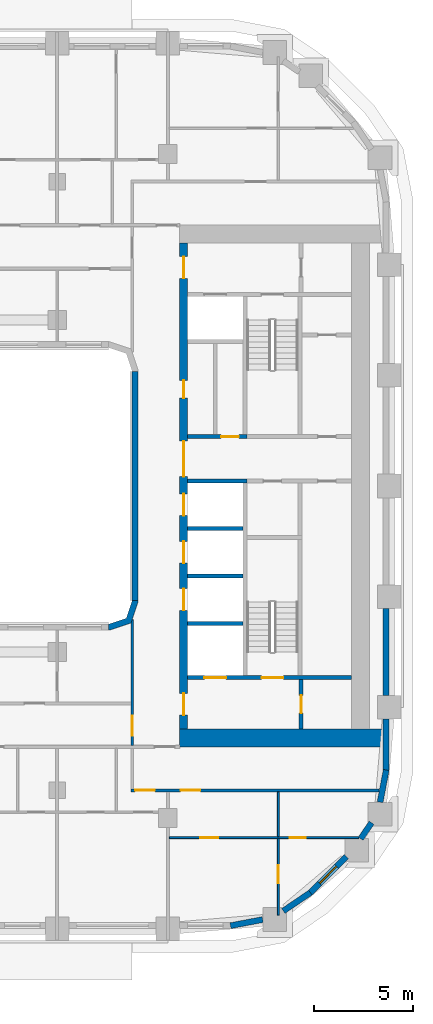
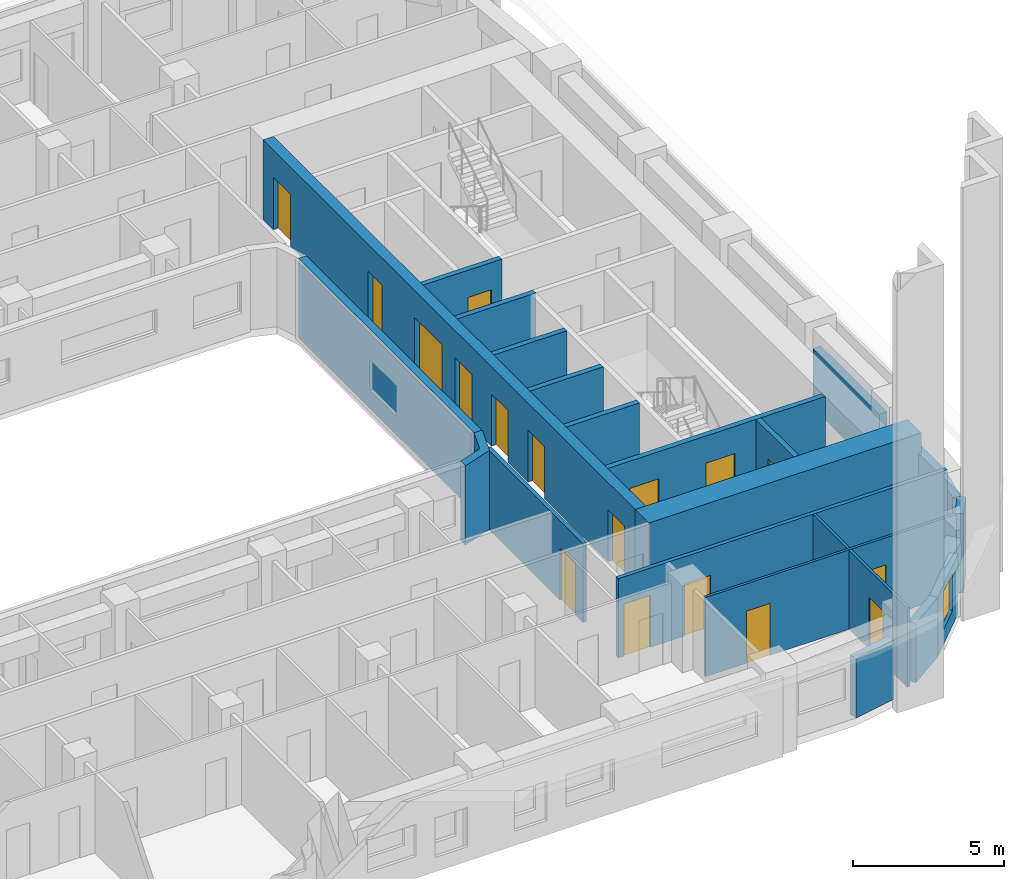
# One storey, part 7 of 23: 23 walls, 17 doors, 1 window, 18 openings.
"""IFC4 building model written with IfcOpenShell, lengths in metres."""

from ifc_helpers import new_model, si_unit, direction, frame, frame_2d, origin, place, context, subcontext, project, spatial, polyline, rectangle, outline, extrude, material, layer, layer_set, type_object, element, fill, save


model = new_model("IFC4")

# Units and contexts
model_context = context("Model", 3, precision=1e-05, world=origin(), true_north=direction((0.0, 1.0)))
body_context = subcontext(model_context, "Body", "Model", "MODEL_VIEW")
ifc_project = project(units=[si_unit("LENGTHUNIT", "METRE"), si_unit("AREAUNIT", "SQUARE_METRE"), si_unit("VOLUMEUNIT", "CUBIC_METRE"), si_unit("PLANEANGLEUNIT", "RADIAN"), si_unit("MASSUNIT", "GRAM", prefix="KILO")], contexts=[model_context])

# Site, building, storey
site_placement = place(None, origin())
site = spatial("IfcSite", under=ifc_project, at=site_placement, CompositionType="ELEMENT")
building_placement = place(site_placement, origin())
building = spatial("IfcBuilding", under=site, at=building_placement, Name="Kiln Ring Residences", CompositionType="ELEMENT")
storey_placement = place(building_placement, frame((0.0, 0.0, 107.800048828125)))
storey = spatial("IfcBuildingStorey", under=building, at=storey_placement, Name="L27", CompositionType="ELEMENT", Elevation=107.800048828125)

# Wall, opening, door
ifc_material_1 = material(Name="Gypsum board on steel studs", Category="steel")
ifc_layer_1 = layer(ifc_material_1, 0.199951171875)
ifc_layer_set_1 = layer_set([ifc_layer_1], Name="CORE-PARTITION-200")
wall_type_1 = type_object("IfcWallType", Name="CORE-PARTITION-200", PredefinedType="PARTITIONING", material=ifc_layer_set_1)
wall_1_placement = place(storey_placement, frame((23.550048828125, -12.300048828125, 0.0), z_axis=(0.0, 0.0, 1.0), x_axis=(0.0, 1.0, 0.0)))
wall_1 = element("IfcWall", 1, at=wall_1_placement, inside=storey, type_object=wall_type_1, Name="Core partition east L27 5", PredefinedType="PARTITIONING", context=body_context, shape_type="SweptSolid", body=[
    extrude(rectangle(XDim=2.5, YDim=0.199951171875, at=frame_2d((1.25, 0.0))), origin(), (0.0, 0.0, 1.0), 3.199951171875),
])
opening_1_placement = place(wall_1_placement, frame((0.800048828125, 0.0, 0.0)))
opening_1 = element("IfcOpeningElement", 2, at=opening_1_placement, cuts=wall_1, Name="Opening L27-CE11", PredefinedType="OPENING", context=body_context, shape_type="SweptSolid", body=[
    extrude(rectangle(XDim=0.89990234375, YDim=2.10009765625, at=frame_2d((0.449951171875, 1.050048828125))), frame((0.0, 0.10986328125, 0.0), z_axis=(0.0, -1.0, 0.0), x_axis=(1.0, 0.0, 0.0)), (0.0, 0.0, 1.0), 0.219970703125),
])
ifc_material_2 = material(Name="Steel door leaf", Category="steel")
door_type_1 = type_object("IfcDoorType", Name="CORE-DOOR-ROOM", OperationType="SINGLE_SWING_LEFT", PredefinedType="DOOR", material=ifc_material_2)
door_1_placement = place(opening_1_placement, origin())
door_1 = element("IfcDoor", 3, at=door_1_placement, inside=storey, type_object=door_type_1, Name="Store L27-CE11", OperationType="SINGLE_SWING_RIGHT", OverallHeight=2.10009765625, OverallWidth=0.89990234375, PredefinedType="DOOR", context=body_context, shape_type="SweptSolid", body=[
    extrude(rectangle(XDim=0.89990234375, YDim=2.10009765625, at=frame_2d((0.449951171875, 1.050048828125))), frame((0.0, 0.02490234375, 0.0), z_axis=(0.0, -1.0, 0.0), x_axis=(1.0, 0.0, 0.0)), (0.0, 0.0, 1.0), 0.050048828125),
])
fill(opening_1, door_1)

# Walls
ifc_material_3 = material(Name="Gypsum shaft wall system")
ifc_layer_2 = layer(ifc_material_3, 0.199951171875)
ifc_layer_set_2 = layer_set([ifc_layer_2], Name="CORE-SHAFT-WALL-200")
wall_type_2 = type_object("IfcWallType", Name="CORE-SHAFT-WALL-200", PredefinedType="PARTITIONING", material=ifc_layer_set_2)
for number, where, z_axis, x_axis, name in (
    (4, (17.800048828125, -6.949951171875, 0.0), (0.0, 0.0, 1.0), (1.0, 0.0, 0.0), "Core partition east L27 7"),
    (5, (17.800048828125, -4.550048828125, 0.0), (0.0, 0.0, 1.0), (1.0, 0.0, 0.0), "Core partition east L27 8"),
    (6, (17.800048828125, -2.14990234375, 0.0), (0.0, 0.0, 1.0), (1.0, 0.0, 0.0), "Core partition east L27 9"),
):
    element("IfcWall", number, at=place(storey_placement, frame(where, z_axis=z_axis, x_axis=x_axis)), inside=storey, type_object=wall_type_2, Name=name, PredefinedType="PARTITIONING", context=body_context, shape_type="SweptSolid", body=[
        extrude(rectangle(XDim=2.800048828125, YDim=0.199951171875, at=frame_2d((1.39990234375, 0.0))), origin(), (0.0, 0.0, 1.0), 3.199951171875),
    ])
wall_2_placement = place(storey_placement, frame((17.800048828125, 0.25, 0.0), z_axis=(0.0, 0.0, 1.0), x_axis=(1.0, 0.0, 0.0)))
element("IfcWall", 7, at=wall_2_placement, inside=storey, type_object=wall_type_2, Name="Core partition east L27 10", PredefinedType="PARTITIONING", context=body_context, shape_type="SweptSolid", body=[
    extrude(rectangle(XDim=3.0, YDim=0.199951171875, at=frame_2d((1.5, 0.0))), origin(), (0.0, 0.0, 1.0), 3.199951171875),
])

# Wall, opening, door
wall_3_placement = place(storey_placement, frame((17.800048828125, 2.5, 0.0), z_axis=(0.0, 0.0, 1.0), x_axis=(1.0, 0.0, 0.0)))
wall_3 = element("IfcWall", 8, at=wall_3_placement, inside=storey, type_object=wall_type_2, Name="Core partition east L27 11", PredefinedType="PARTITIONING", context=body_context, shape_type="SweptSolid", body=[
    extrude(rectangle(XDim=3.0, YDim=0.199951171875, at=frame_2d((1.5, 0.0))), origin(), (0.0, 0.0, 1.0), 3.199951171875),
])
opening_2_placement = place(wall_3_placement, frame((1.699951171875, 0.0, 0.0)))
opening_2 = element("IfcOpeningElement", 9, at=opening_2_placement, cuts=wall_3, Name="Opening L27-CE06", PredefinedType="OPENING", context=body_context, shape_type="SweptSolid", body=[
    extrude(rectangle(XDim=0.89990234375, YDim=2.10009765625, at=frame_2d((0.449951171875, 1.050048828125))), frame((0.0, 0.10986328125, 0.0), z_axis=(0.0, -1.0, 0.0), x_axis=(1.0, 0.0, 0.0)), (0.0, 0.0, 1.0), 0.219970703125),
])
door_2_placement = place(opening_2_placement, origin())
door_2 = element("IfcDoor", 10, at=door_2_placement, inside=storey, type_object=door_type_1, Name="Service store L27-CE06", OperationType="SINGLE_SWING_RIGHT", OverallHeight=2.10009765625, OverallWidth=0.89990234375, PredefinedType="DOOR", context=body_context, shape_type="SweptSolid", body=[
    extrude(rectangle(XDim=0.89990234375, YDim=2.10009765625, at=frame_2d((0.449951171875, 1.050048828125))), frame((0.0, 0.02490234375, 0.0), z_axis=(0.0, -1.0, 0.0), x_axis=(1.0, 0.0, 0.0)), (0.0, 0.0, 1.0), 0.050048828125),
])
fill(opening_2, door_2)

# Wall, openings, doors
ifc_material_4 = material(Name="Concrete C40/50", Category="concrete")
ifc_layer_3 = layer(ifc_material_4, 0.199951171875)
ifc_layer_set_3 = layer_set([ifc_layer_3], Name="CORE-WALL-RC200")
wall_type_3 = type_object("IfcWallType", Name="CORE-WALL-RC200", PredefinedType="SHEAR", material=ifc_layer_set_3)
wall_4_placement = place(storey_placement, frame((17.800048828125, -9.699951171875, 0.0), z_axis=(0.0, 0.0, 1.0), x_axis=(1.0, 0.0, 0.0)))
wall_4 = element("IfcWall", 11, at=wall_4_placement, inside=storey, type_object=wall_type_3, Name="Core wall east L27 8", PredefinedType="SHEAR", context=body_context, shape_type="SweptSolid", body=[
    extrude(rectangle(XDim=8.300048828125, YDim=0.199951171875, at=frame_2d((4.14990234375, 0.0))), origin(), (0.0, 0.0, 1.0), 3.199951171875),
])
opening_3_placement = place(wall_4_placement, frame((0.85009765625, 0.0, 0.0)))
opening_3 = element("IfcOpeningElement", 12, at=opening_3_placement, cuts=wall_4, Name="Opening L27-CE01", PredefinedType="OPENING", context=body_context, shape_type="SweptSolid", body=[
    extrude(rectangle(XDim=1.10009765625, YDim=2.10009765625, at=frame_2d((0.550048828125, 1.050048828125))), frame((0.0, 0.10986328125, 0.0), z_axis=(0.0, -1.0, 0.0), x_axis=(1.0, 0.0, 0.0)), (0.0, 0.0, 1.0), 0.219970703125),
])
opening_4_placement = place(wall_4_placement, frame((3.75, 0.0, 0.0)))
opening_4 = element("IfcOpeningElement", 13, at=opening_4_placement, cuts=wall_4, Name="Opening L27-CE13", PredefinedType="OPENING", context=body_context, shape_type="SweptSolid", body=[
    extrude(rectangle(XDim=1.10009765625, YDim=2.10009765625, at=frame_2d((0.550048828125, 1.050048828125))), frame((0.0, 0.10986328125, 0.0), z_axis=(0.0, -1.0, 0.0), x_axis=(1.0, 0.0, 0.0)), (0.0, 0.0, 1.0), 0.219970703125),
])
ifc_material_5 = material(Name="Steel door leaf", Category="steel")
door_type_2 = type_object("IfcDoorType", Name="CORE-DOOR-LD", OperationType="DOUBLE_DOOR_SLIDING", PredefinedType="DOOR", material=ifc_material_5)
door_3_placement = place(opening_3_placement, origin())
door_3 = element("IfcDoor", 14, at=door_3_placement, inside=storey, type_object=door_type_2, Name="LD E-SV L27-CE01", OperationType="DOUBLE_DOOR_SLIDING", OverallHeight=2.10009765625, OverallWidth=1.10009765625, PredefinedType="DOOR", context=body_context, shape_type="SweptSolid", body=[
    extrude(rectangle(XDim=1.10009765625, YDim=2.10009765625, at=frame_2d((0.550048828125, 1.050048828125))), frame((0.0, 0.02490234375, 0.0), z_axis=(0.0, -1.0, 0.0), x_axis=(1.0, 0.0, 0.0)), (0.0, 0.0, 1.0), 0.050048828125),
])
fill(opening_3, door_3)
ifc_material_6 = material(Name="Steel door leaf", Category="steel")
door_type_3 = type_object("IfcDoorType", Name="CORE-DOOR-STAIR", OperationType="SINGLE_SWING_LEFT", PredefinedType="DOOR", material=ifc_material_6)
door_4_placement = place(opening_4_placement, origin())
door_4 = element("IfcDoor", 15, at=door_4_placement, inside=storey, type_object=door_type_3, Name="Stair E-STS L27-CE13", OperationType="SINGLE_SWING_LEFT", OverallHeight=2.10009765625, OverallWidth=1.10009765625, PredefinedType="DOOR", context=body_context, shape_type="SweptSolid", body=[
    extrude(rectangle(XDim=1.10009765625, YDim=2.10009765625, at=frame_2d((0.550048828125, 1.050048828125))), frame((0.0, 0.02490234375, 0.0), z_axis=(0.0, -1.0, 0.0), x_axis=(1.0, 0.0, 0.0)), (0.0, 0.0, 1.0), 0.050048828125),
])
fill(opening_4, door_4)

ifc_material_7 = material(Name="Concrete C60/75", Category="concrete")
ifc_layer_4 = layer(ifc_material_7, 0.39990234375)
ifc_layer_set_4 = layer_set([ifc_layer_4], Name="CORE-WALL-RC400")
wall_type_4 = type_object("IfcWallType", Name="CORE-WALL-RC400", PredefinedType="SHEAR", material=ifc_layer_set_4)
wall_5_placement = place(storey_placement, frame((17.60009765625, -12.300048828125, 0.0), z_axis=(0.0, 0.0, 1.0), x_axis=(0.0, 1.0, 0.0)))
wall_5 = element("IfcWall", 16, at=wall_5_placement, inside=storey, type_object=wall_type_4, Name="Core wall east L27 6", PredefinedType="SHEAR", context=body_context, shape_type="SweptSolid", body=[
    extrude(rectangle(XDim=24.60009765625, YDim=0.39990234375, at=frame_2d((12.300048828125, 0.0))), origin(), (0.0, 0.0, 1.0), 3.199951171875),
])
opening_5_placement = place(wall_5_placement, frame((6.0, 0.0, 0.0)))
opening_5 = element("IfcOpeningElement", 17, at=opening_5_placement, cuts=wall_5, Name="Opening L27-CE02", PredefinedType="OPENING", context=body_context, shape_type="SweptSolid", body=[
    extrude(rectangle(XDim=1.10009765625, YDim=2.10009765625, at=frame_2d((0.550048828125, 1.050048828125))), frame((0.0, 0.2099609375, 0.0), z_axis=(0.0, -1.0, 0.0), x_axis=(1.0, 0.0, 0.0)), (0.0, 0.0, 1.0), 0.419921875),
])
opening_6_placement = place(wall_5_placement, frame((8.39990234375, 0.0, 0.0)))
opening_6 = element("IfcOpeningElement", 18, at=opening_6_placement, cuts=wall_5, Name="Opening L27-CE03", PredefinedType="OPENING", context=body_context, shape_type="SweptSolid", body=[
    extrude(rectangle(XDim=1.10009765625, YDim=2.10009765625, at=frame_2d((0.550048828125, 1.050048828125))), frame((0.0, 0.2099609375, 0.0), z_axis=(0.0, -1.0, 0.0), x_axis=(1.0, 0.0, 0.0)), (0.0, 0.0, 1.0), 0.419921875),
])
opening_7_placement = place(wall_5_placement, frame((10.800048828125, 0.0, 0.0)))
opening_7 = element("IfcOpeningElement", 19, at=opening_7_placement, cuts=wall_5, Name="Opening L27-CE04", PredefinedType="OPENING", context=body_context, shape_type="SweptSolid", body=[
    extrude(rectangle(XDim=1.10009765625, YDim=2.10009765625, at=frame_2d((0.550048828125, 1.050048828125))), frame((0.0, 0.2099609375, 0.0), z_axis=(0.0, -1.0, 0.0), x_axis=(1.0, 0.0, 0.0)), (0.0, 0.0, 1.0), 0.419921875),
])
opening_8_placement = place(wall_5_placement, frame((16.75, 0.0, 0.0)))
opening_8 = element("IfcOpeningElement", 20, at=opening_8_placement, cuts=wall_5, Name="Opening L27-CE05", PredefinedType="OPENING", context=body_context, shape_type="SweptSolid", body=[
    extrude(rectangle(XDim=0.89990234375, YDim=2.10009765625, at=frame_2d((0.449951171875, 1.050048828125))), frame((0.0, 0.2099609375, 0.0), z_axis=(0.0, -1.0, 0.0), x_axis=(1.0, 0.0, 0.0)), (0.0, 0.0, 1.0), 0.419921875),
])
opening_9_placement = place(wall_5_placement, frame((22.800048828125, 0.0, 0.0)))
opening_9 = element("IfcOpeningElement", 21, at=opening_9_placement, cuts=wall_5, Name="Opening L27-CE08", PredefinedType="OPENING", context=body_context, shape_type="SweptSolid", body=[
    extrude(rectangle(XDim=1.10009765625, YDim=2.10009765625, at=frame_2d((0.550048828125, 1.050048828125))), frame((0.0, 0.2099609375, 0.0), z_axis=(0.0, -1.0, 0.0), x_axis=(1.0, 0.0, 0.0)), (0.0, 0.0, 1.0), 0.419921875),
])
opening_10_placement = place(wall_5_placement, frame((0.699951171875, 0.0, 0.0)))
opening_10 = element("IfcOpeningElement", 22, at=opening_10_placement, cuts=wall_5, Name="Opening L27-CE09", PredefinedType="OPENING", context=body_context, shape_type="SweptSolid", body=[
    extrude(rectangle(XDim=1.10009765625, YDim=2.10009765625, at=frame_2d((0.550048828125, 1.050048828125))), frame((0.0, 0.2099609375, 0.0), z_axis=(0.0, -1.0, 0.0), x_axis=(1.0, 0.0, 0.0)), (0.0, 0.0, 1.0), 0.419921875),
])
opening_11_placement = place(wall_5_placement, frame((12.77490234375, 0.0, 0.0)))
opening_11 = element("IfcOpeningElement", 23, at=opening_11_placement, cuts=wall_5, Name="Opening L27-CE14", PredefinedType="OPENING", context=body_context, shape_type="SweptSolid", body=[
    extrude(rectangle(XDim=1.800048828125, YDim=2.10009765625, at=frame_2d((0.89990234375, 1.050048828125))), frame((0.0, 0.2099609375, 0.0), z_axis=(0.0, -1.0, 0.0), x_axis=(1.0, 0.0, 0.0)), (0.0, 0.0, 1.0), 0.419921875),
])
door_5_placement = place(opening_5_placement, origin())
door_5 = element("IfcDoor", 24, at=door_5_placement, inside=storey, type_object=door_type_2, Name="LD E-L1 L27-CE02", OperationType="DOUBLE_DOOR_SLIDING", OverallHeight=2.10009765625, OverallWidth=1.10009765625, PredefinedType="DOOR", context=body_context, shape_type="SweptSolid", body=[
    extrude(rectangle(XDim=1.10009765625, YDim=2.10009765625, at=frame_2d((0.550048828125, 1.050048828125))), frame((0.0, 0.02490234375, 0.0), z_axis=(0.0, -1.0, 0.0), x_axis=(1.0, 0.0, 0.0)), (0.0, 0.0, 1.0), 0.050048828125),
])
fill(opening_5, door_5)
door_6_placement = place(opening_6_placement, origin())
door_6 = element("IfcDoor", 25, at=door_6_placement, inside=storey, type_object=door_type_2, Name="LD E-L2 L27-CE03", OperationType="DOUBLE_DOOR_SLIDING", OverallHeight=2.10009765625, OverallWidth=1.10009765625, PredefinedType="DOOR", context=body_context, shape_type="SweptSolid", body=[
    extrude(rectangle(XDim=1.10009765625, YDim=2.10009765625, at=frame_2d((0.550048828125, 1.050048828125))), frame((0.0, 0.02490234375, 0.0), z_axis=(0.0, -1.0, 0.0), x_axis=(1.0, 0.0, 0.0)), (0.0, 0.0, 1.0), 0.050048828125),
])
fill(opening_6, door_6)
door_7_placement = place(opening_7_placement, origin())
door_7 = element("IfcDoor", 26, at=door_7_placement, inside=storey, type_object=door_type_2, Name="LD E-L3 L27-CE04", OperationType="DOUBLE_DOOR_SLIDING", OverallHeight=2.10009765625, OverallWidth=1.10009765625, PredefinedType="DOOR", context=body_context, shape_type="SweptSolid", body=[
    extrude(rectangle(XDim=1.10009765625, YDim=2.10009765625, at=frame_2d((0.550048828125, 1.050048828125))), frame((0.0, 0.02490234375, 0.0), z_axis=(0.0, -1.0, 0.0), x_axis=(1.0, 0.0, 0.0)), (0.0, 0.0, 1.0), 0.050048828125),
])
fill(opening_7, door_7)
ifc_material_8 = material(Name="Steel door leaf", Category="steel")
door_type_4 = type_object("IfcDoorType", Name="CORE-DOOR-LOBBY", OperationType="SINGLE_SWING_LEFT", PredefinedType="DOOR", material=ifc_material_8)
door_8_placement = place(opening_9_placement, origin())
door_8 = element("IfcDoor", 27, at=door_8_placement, inside=storey, type_object=door_type_4, Name="FFL L27-CE08", OperationType="SINGLE_SWING_RIGHT", OverallHeight=2.10009765625, OverallWidth=1.10009765625, PredefinedType="DOOR", context=body_context, shape_type="SweptSolid", body=[
    extrude(rectangle(XDim=1.10009765625, YDim=2.10009765625, at=frame_2d((0.550048828125, 1.050048828125))), frame((0.0, 0.02490234375, 0.0), z_axis=(0.0, -1.0, 0.0), x_axis=(1.0, 0.0, 0.0)), (0.0, 0.0, 1.0), 0.050048828125),
])
fill(opening_9, door_8)
door_9_placement = place(opening_10_placement, origin())
door_9 = element("IfcDoor", 28, at=door_9_placement, inside=storey, type_object=door_type_4, Name="SVL L27-CE09", OperationType="SINGLE_SWING_LEFT", OverallHeight=2.10009765625, OverallWidth=1.10009765625, PredefinedType="DOOR", context=body_context, shape_type="SweptSolid", body=[
    extrude(rectangle(XDim=1.10009765625, YDim=2.10009765625, at=frame_2d((0.550048828125, 1.050048828125))), frame((0.0, 0.02490234375, 0.0), z_axis=(0.0, -1.0, 0.0), x_axis=(1.0, 0.0, 0.0)), (0.0, 0.0, 1.0), 0.050048828125),
])
fill(opening_10, door_9)
ifc_material_9 = material(Name="Steel door leaf", Category="steel")
door_type_5 = type_object("IfcDoorType", Name="CORE-DOOR-PASS", OperationType="DOUBLE_DOOR_SINGLE_SWING", PredefinedType="DOOR", material=ifc_material_9)
door_10_placement = place(opening_11_placement, origin())
door_10 = element("IfcDoor", 29, at=door_10_placement, inside=storey, type_object=door_type_5, Name="Core passage L27-CE14", OperationType="DOUBLE_DOOR_SINGLE_SWING", OverallHeight=2.10009765625, OverallWidth=1.800048828125, PredefinedType="DOOR", context=body_context, shape_type="SweptSolid", body=[
    extrude(rectangle(XDim=1.800048828125, YDim=2.10009765625, at=frame_2d((0.89990234375, 1.050048828125))), frame((0.0, 0.02490234375, 0.0), z_axis=(0.0, -1.0, 0.0), x_axis=(1.0, 0.0, 0.0)), (0.0, 0.0, 1.0), 0.050048828125),
])
fill(opening_11, door_10)
door_11_placement = place(opening_8_placement, origin())
door_11 = element("IfcDoor", 30, at=door_11_placement, inside=storey, type_object=door_type_1, Name="Linen store L27-CE05", OperationType="SINGLE_SWING_RIGHT", OverallHeight=2.10009765625, OverallWidth=0.89990234375, PredefinedType="DOOR", context=body_context, shape_type="SweptSolid", body=[
    extrude(rectangle(XDim=0.89990234375, YDim=2.10009765625, at=frame_2d((0.449951171875, 1.050048828125))), frame((0.0, 0.02490234375, 0.0), z_axis=(0.0, -1.0, 0.0), x_axis=(1.0, 0.0, 0.0)), (0.0, 0.0, 1.0), 0.050048828125),
])
fill(opening_8, door_11)

# Walls
ifc_material_10 = material(Name="Concrete C60/75", Category="concrete")
ifc_layer_5 = layer(ifc_material_10, 0.89990234375)
ifc_layer_set_5 = layer_set([ifc_layer_5], Name="CORE-WALL-RC900")
wall_type_5 = type_object("IfcWallType", Name="CORE-WALL-RC900", PredefinedType="SHEAR", material=ifc_layer_set_5)
wall_6_placement = place(storey_placement, frame((17.39990234375, -12.75, 0.0), z_axis=(0.0, 0.0, 1.0), x_axis=(1.0, 0.0, 0.0)))
element("IfcWall", 31, at=wall_6_placement, inside=storey, type_object=wall_type_5, Name="Core wall east L27 5", PredefinedType="SHEAR", context=body_context, shape_type="SweptSolid", body=[
    extrude(rectangle(XDim=10.400146484375, YDim=0.89990234375, at=frame_2d((5.2001953125, 0.0))), origin(), (0.0, 0.0, 1.0), 3.199951171875),
])
ifc_material_11 = material(Name="Brick masonry, dark clay brick", Category="masonry")
ifc_layer_6 = layer(ifc_material_11, 0.300048828125)
ifc_layer_set_6 = layer_set([ifc_layer_6], Name="EW-300 BRICK WALL")
wall_type_6 = type_object("IfcWallType", Name="EW-300 BRICK WALL", PredefinedType="SOLIDWALL", material=ifc_layer_set_6)
for number, where, z_axis, x_axis, name in (
    (32, (19.971923828125, -22.252685546875, 0.0), (0.0, 0.0, 1.0), (0.98228820662, 0.187376303559, 0.0), "Facade wall L27 12"),
    (33, (22.64306640625, -21.509765625, 0.0), (0.0, 0.0, 1.0), (0.827049873329, 0.562128550268, 0.0), "Facade wall L27 13"),
):
    element("IfcWall", number, at=place(storey_placement, frame(where, z_axis=z_axis, x_axis=x_axis)), inside=storey, type_object=wall_type_6, Name=name, PredefinedType="SOLIDWALL", context=body_context, shape_type="SweptSolid", body=[
        extrude(rectangle(XDim=1.656005859375, YDim=0.300048828125, at=frame_2d((0.828125, 0.0))), origin(), (0.0, 0.0, 1.0), 2.39990234375),
    ])

# Wall, opening, window
wall_7_placement = place(storey_placement, frame((23.990966796875, -20.596923828125, 0.0), z_axis=(0.0, 0.0, 1.0), x_axis=(0.707106781187, 0.707106781187, 0.0)))
wall_7 = element("IfcWall", 34, at=wall_7_placement, inside=storey, type_object=wall_type_6, Name="Facade wall L27 14", PredefinedType="SOLIDWALL", context=body_context, shape_type="SweptSolid", body=[
    extrude(rectangle(XDim=2.60009765625, YDim=0.300048828125, at=frame_2d((1.300048828125, 0.0))), origin(), (0.0, 0.0, 1.0), 2.39990234375),
])
opening_12_placement = place(wall_7_placement, frame((0.699951171875, 0.0, 0.60009765625)))
opening_12 = element("IfcOpeningElement", 35, at=opening_12_placement, cuts=wall_7, Name="Opening W1", PredefinedType="OPENING", context=body_context, shape_type="SweptSolid", body=[
    extrude(rectangle(XDim=1.199951171875, YDim=1.550048828125, at=frame_2d((0.60009765625, 0.77490234375))), frame((0.0, 0.159912109375, 0.0), z_axis=(0.0, -1.0, 0.0), x_axis=(1.0, 0.0, 0.0)), (0.0, 0.0, 1.0), 0.320068359375),
])
ifc_material_12 = material(Name="Aluminium frame with double glazing", Category="aluminium")
window_type = type_object("IfcWindowType", Name="WINDOW 1200 x 1550", PartitioningType="SINGLE_PANEL", PredefinedType="WINDOW", material=ifc_material_12)
window_placement = place(opening_12_placement, origin())
window = element("IfcWindow", 36, at=window_placement, inside=storey, type_object=window_type, Name="Window L27 13", OverallHeight=1.550048828125, OverallWidth=1.199951171875, PartitioningType="SINGLE_PANEL", PredefinedType="WINDOW", context=body_context, shape_type="SweptSolid", body=[
    extrude(rectangle(XDim=1.199951171875, YDim=1.550048828125, at=frame_2d((0.60009765625, 0.77490234375))), frame((0.0, 0.030029296875, 0.0), z_axis=(0.0, -1.0, 0.0), x_axis=(1.0, 0.0, 0.0)), (0.0, 0.0, 1.0), 0.06005859375),
])
fill(opening_12, window)

# Walls
wall_8_placement = place(storey_placement, frame((26.560546875, -17.85107421875, 0.0), z_axis=(0.0, 0.0, 1.0), x_axis=(0.562173331661, 0.827019434577, 0.0)))
element("IfcWall", 37, at=wall_8_placement, inside=storey, type_object=wall_type_6, Name="Facade wall L27 15", PredefinedType="SOLIDWALL", context=body_context, shape_type="SweptSolid", body=[
    extrude(rectangle(XDim=0.97705078125, YDim=0.300048828125, at=frame_2d((0.488525390625, 0.0))), origin(), (0.0, 0.0, 1.0), 3.199951171875),
])
wall_9_placement = place(storey_placement, frame((27.542236328125, -15.998779296875, 0.0), z_axis=(0.0, 0.0, 1.0), x_axis=(0.187349172861, 0.982293381546, 0.0)))
element("IfcWall", 38, at=wall_9_placement, inside=storey, type_object=wall_type_6, Name="Facade wall L27 16", PredefinedType="SOLIDWALL", context=body_context, shape_type="SweptSolid", body=[
    extrude(rectangle(XDim=1.65625, YDim=0.300048828125, at=frame_2d((0.828125, 0.0))), origin(), (0.0, 0.0, 1.0), 2.39990234375),
])
wall_10_placement = place(storey_placement, frame((27.85009765625, -14.39990234375, 0.0), z_axis=(0.0, 0.0, 1.0), x_axis=(0.0, 1.0, 0.0)))
element("IfcWall", 39, at=wall_10_placement, inside=storey, type_object=wall_type_6, Name="Facade wall L27 17", PredefinedType="SOLIDWALL", context=body_context, shape_type="SweptSolid", body=[
    extrude(rectangle(XDim=2.599853515625, YDim=0.300048828125, at=frame_2d((1.2998046875, 0.0))), origin(), (0.0, 0.0, 1.0), 2.39990234375),
])
wall_11_placement = place(storey_placement, frame((27.85009765625, -10.60009765625, 0.0), z_axis=(0.0, 0.0, 1.0), x_axis=(0.0, 1.0, 0.0)))
element("IfcWall", 40, at=wall_11_placement, inside=storey, type_object=wall_type_6, Name="Facade wall L27 18", PredefinedType="SOLIDWALL", context=body_context, shape_type="SweptSolid", body=[
    extrude(rectangle(XDim=4.400146484375, YDim=0.300048828125, at=frame_2d((2.2001953125, 0.0))), origin(), (0.0, 0.0, 1.0), 2.39990234375),
])
wall_12_placement = place(storey_placement, frame((15.14990234375, 5.800048828125, 0.0), z_axis=(0.0, 0.0, 1.0), x_axis=(0.0, -1.0, 0.0)))
element("IfcWall", 41, at=wall_12_placement, inside=storey, type_object=wall_type_6, Name="Facade wall L27 51", PredefinedType="SOLIDWALL", context=body_context, shape_type="SweptSolid", body=[
    extrude(rectangle(XDim=11.60009765625, YDim=0.300048828125, at=frame_2d((5.800048828125, 0.0))), origin(), (0.0, 0.0, 1.0), 3.199951171875),
])
wall_13_placement = place(storey_placement, origin())
element("IfcWall", 42, at=wall_13_placement, inside=storey, type_object=wall_type_6, Name="Corner wall L27 3", PredefinedType="SOLIDWALL", context=body_context, shape_type="SweptSolid", body=[
    extrude(outline(polyline([(14.937255859375, -6.937255859375), (15.300048828125, -5.8486328125), (15.300048828125, -5.800048828125), (15.0, -5.800048828125), (14.699951171875, -6.699951171875), (13.800048828125, -7.0), (13.800048828125, -7.300048828125), (13.8486328125, -7.300048828125), (14.937255859375, -6.937255859375)])), origin(), (0.0, 0.0, 1.0), 3.199951171875),
])

# Wall, openings, doors
ifc_material_13 = material(Name="Gypsum board on steel studs", Category="steel")
ifc_layer_7 = layer(ifc_material_13, 0.10009765625)
ifc_layer_set_7 = layer_set([ifc_layer_7], Name="PARTITION-100")
wall_type_7 = type_object("IfcWallType", Name="PARTITION-100", PredefinedType="PARTITIONING", material=ifc_layer_set_7)
wall_14_placement = place(storey_placement, frame((16.875, -17.800048828125, 0.0), z_axis=(0.0, 0.0, 1.0), x_axis=(1.0, 0.0, 0.0)))
wall_14 = element("IfcWall", 43, at=wall_14_placement, inside=storey, type_object=wall_type_7, Name="Partition 001", PredefinedType="PARTITIONING", context=body_context, shape_type="SweptSolid", body=[
    extrude(rectangle(XDim=9.590087890625, YDim=0.10009765625, at=frame_2d((4.794921875, 0.0))), origin(), (0.0, 0.0, 1.0), 3.199951171875),
])
opening_13_placement = place(wall_14_placement, frame((6.093017578125, 0.0, 0.0)))
opening_13 = element("IfcOpeningElement", 44, at=opening_13_placement, cuts=wall_14, Name="Opening L27-D074", PredefinedType="OPENING", context=body_context, shape_type="SweptSolid", body=[
    extrude(rectangle(XDim=0.800048828125, YDim=2.10009765625, at=frame_2d((0.39990234375, 1.050048828125))), frame((0.0, 0.06005859375, 0.0), z_axis=(0.0, -1.0, 0.0), x_axis=(1.0, 0.0, 0.0)), (0.0, 0.0, 1.0), 0.1201171875),
])
opening_14_placement = place(wall_14_placement, frame((1.574951171875, 0.0, 0.0)))
opening_14 = element("IfcOpeningElement", 45, at=opening_14_placement, cuts=wall_14, Name="Opening L27-D075", PredefinedType="OPENING", context=body_context, shape_type="SweptSolid", body=[
    extrude(rectangle(XDim=0.89990234375, YDim=2.10009765625, at=frame_2d((0.449951171875, 1.050048828125))), frame((0.0, 0.06005859375, 0.0), z_axis=(0.0, -1.0, 0.0), x_axis=(1.0, 0.0, 0.0)), (0.0, 0.0, 1.0), 0.1201171875),
])
ifc_material_14 = material(Name="Timber door leaf", Category="wood")
door_type_6 = type_object("IfcDoorType", Name="FLAT-DOOR-800-PL", OperationType="SINGLE_SWING_LEFT", PredefinedType="DOOR", material=ifc_material_14)
door_12_placement = place(opening_13_placement, origin())
door_12 = element("IfcDoor", 46, at=door_12_placement, inside=storey, type_object=door_type_6, Name="Door L27-D074", OperationType="SINGLE_SWING_RIGHT", OverallHeight=2.10009765625, OverallWidth=0.800048828125, PredefinedType="DOOR", context=body_context, shape_type="SweptSolid", body=[
    extrude(rectangle(XDim=0.800048828125, YDim=2.10009765625, at=frame_2d((0.39990234375, 1.050048828125))), frame((0.0, 0.02490234375, 0.0), z_axis=(0.0, -1.0, 0.0), x_axis=(1.0, 0.0, 0.0)), (0.0, 0.0, 1.0), 0.050048828125),
])
fill(opening_13, door_12)
ifc_material_15 = material(Name="Timber door leaf", Category="wood")
door_type_7 = type_object("IfcDoorType", Name="FLAT-DOOR-900-PL", OperationType="SINGLE_SWING_LEFT", PredefinedType="DOOR", material=ifc_material_15)
door_13_placement = place(opening_14_placement, origin())
door_13 = element("IfcDoor", 47, at=door_13_placement, inside=storey, type_object=door_type_7, Name="Door L27-D075", OperationType="SINGLE_SWING_LEFT", OverallHeight=2.10009765625, OverallWidth=0.89990234375, PredefinedType="DOOR", context=body_context, shape_type="SweptSolid", body=[
    extrude(rectangle(XDim=0.89990234375, YDim=2.10009765625, at=frame_2d((0.449951171875, 1.050048828125))), frame((0.0, 0.02490234375, 0.0), z_axis=(0.0, -1.0, 0.0), x_axis=(1.0, 0.0, 0.0)), (0.0, 0.0, 1.0), 0.050048828125),
])
fill(opening_14, door_13)

# Wall, opening, door
wall_15_placement = place(storey_placement, frame((22.39990234375, -21.719970703125, 0.0), z_axis=(0.0, 0.0, 1.0), x_axis=(0.0, 1.0, 0.0)))
wall_15 = element("IfcWall", 48, at=wall_15_placement, inside=storey, type_object=wall_type_7, Name="Partition 080", PredefinedType="PARTITIONING", context=body_context, shape_type="SweptSolid", body=[
    extrude(rectangle(XDim=3.869873046875, YDim=0.10009765625, at=frame_2d((1.93505859375, 0.0))), origin(), (0.0, 0.0, 1.0), 3.199951171875),
])
opening_15_placement = place(wall_15_placement, frame((1.6220703125, 0.0, 0.0)))
opening_15 = element("IfcOpeningElement", 49, at=opening_15_placement, cuts=wall_15, Name="Opening L27-D076", PredefinedType="OPENING", context=body_context, shape_type="SweptSolid", body=[
    extrude(rectangle(XDim=0.89990234375, YDim=2.10009765625, at=frame_2d((0.449951171875, 1.050048828125))), frame((0.0, 0.06005859375, 0.0), z_axis=(0.0, -1.0, 0.0), x_axis=(1.0, 0.0, 0.0)), (0.0, 0.0, 1.0), 0.1201171875),
])
door_14_placement = place(opening_15_placement, origin())
door_14 = element("IfcDoor", 50, at=door_14_placement, inside=storey, type_object=door_type_7, Name="Door L27-D076", OperationType="SINGLE_SWING_RIGHT", OverallHeight=2.10009765625, OverallWidth=0.89990234375, PredefinedType="DOOR", context=body_context, shape_type="SweptSolid", body=[
    extrude(rectangle(XDim=0.89990234375, YDim=2.10009765625, at=frame_2d((0.449951171875, 1.050048828125))), frame((0.0, 0.02490234375, 0.0), z_axis=(0.0, -1.0, 0.0), x_axis=(1.0, 0.0, 0.0)), (0.0, 0.0, 1.0), 0.050048828125),
])
fill(opening_15, door_14)

# Wall
wall_16_placement = place(storey_placement, frame((22.39990234375, -17.75, 0.0), z_axis=(0.0, 0.0, 1.0), x_axis=(0.0, 1.0, 0.0)))
element("IfcWall", 51, at=wall_16_placement, inside=storey, type_object=wall_type_7, Name="Partition 081", PredefinedType="PARTITIONING", context=body_context, shape_type="SweptSolid", body=[
    extrude(rectangle(XDim=2.27490234375, YDim=0.10009765625, at=frame_2d((1.137451171875, 0.0))), origin(), (0.0, 0.0, 1.0), 3.199951171875),
])

# Wall, openings, doors
ifc_material_16 = material(Name="Brick masonry partition", Category="masonry")
ifc_layer_8 = layer(ifc_material_16, 0.14990234375)
ifc_layer_set_8 = layer_set([ifc_layer_8], Name="PARTITION-150-ei60")
wall_type_8 = type_object("IfcWallType", Name="PARTITION-150-ei60", PredefinedType="PARTITIONING", material=ifc_layer_set_8)
wall_17_placement = place(storey_placement, frame((14.925048828125, -15.39990234375, 0.0), z_axis=(0.0, 0.0, 1.0), x_axis=(1.0, 0.0, 0.0)))
wall_17 = element("IfcWall", 52, at=wall_17_placement, inside=storey, type_object=wall_type_8, Name="Partition 004", PredefinedType="PARTITIONING", context=body_context, shape_type="SweptSolid", body=[
    extrude(rectangle(XDim=12.558837890625, YDim=0.14990234375, at=frame_2d((6.279296875, 0.0))), origin(), (0.0, 0.0, 1.0), 3.199951171875),
])
opening_16_placement = place(wall_17_placement, frame((0.22412109375, 0.0, 0.0)))
opening_16 = element("IfcOpeningElement", 53, at=opening_16_placement, cuts=wall_17, Name="Opening L27-D070", PredefinedType="OPENING", context=body_context, shape_type="SweptSolid", body=[
    extrude(rectangle(XDim=1.0, YDim=2.10009765625, at=frame_2d((0.5, 1.050048828125))), frame((0.0, 0.0849609375, 0.0), z_axis=(0.0, -1.0, 0.0), x_axis=(1.0, 0.0, 0.0)), (0.0, 0.0, 1.0), 0.169921875),
])
opening_17_placement = place(wall_17_placement, frame((2.52490234375, 0.0, 0.0)))
opening_17 = element("IfcOpeningElement", 54, at=opening_17_placement, cuts=wall_17, Name="Opening L27-D073", PredefinedType="OPENING", context=body_context, shape_type="SweptSolid", body=[
    extrude(rectangle(XDim=1.0, YDim=2.10009765625, at=frame_2d((0.5, 1.050048828125))), frame((0.0, 0.0849609375, 0.0), z_axis=(0.0, -1.0, 0.0), x_axis=(1.0, 0.0, 0.0)), (0.0, 0.0, 1.0), 0.169921875),
])
ifc_material_17 = material(Name="Steel faced fire door leaf", Category="steel")
door_type_8 = type_object("IfcDoorType", Name="FLAT-DOOR-1000-FR", OperationType="SINGLE_SWING_LEFT", PredefinedType="DOOR", material=ifc_material_17)
door_15_placement = place(opening_16_placement, origin())
door_15 = element("IfcDoor", 55, at=door_15_placement, inside=storey, type_object=door_type_8, Name="Door L27-D070", OperationType="SINGLE_SWING_LEFT", OverallHeight=2.10009765625, OverallWidth=1.0, PredefinedType="DOOR", context=body_context, shape_type="SweptSolid", body=[
    extrude(rectangle(XDim=1.0, YDim=2.10009765625, at=frame_2d((0.5, 1.050048828125))), frame((0.0, 0.02490234375, 0.0), z_axis=(0.0, -1.0, 0.0), x_axis=(1.0, 0.0, 0.0)), (0.0, 0.0, 1.0), 0.050048828125),
])
fill(opening_16, door_15)
door_16_placement = place(opening_17_placement, origin())
door_16 = element("IfcDoor", 56, at=door_16_placement, inside=storey, type_object=door_type_8, Name="Door L27-D073", OperationType="SINGLE_SWING_LEFT", OverallHeight=2.10009765625, OverallWidth=1.0, PredefinedType="DOOR", context=body_context, shape_type="SweptSolid", body=[
    extrude(rectangle(XDim=1.0, YDim=2.10009765625, at=frame_2d((0.5, 1.050048828125))), frame((0.0, 0.02490234375, 0.0), z_axis=(0.0, -1.0, 0.0), x_axis=(1.0, 0.0, 0.0)), (0.0, 0.0, 1.0), 0.050048828125),
])
fill(opening_17, door_16)

# Wall, opening, door
wall_18_placement = place(storey_placement, frame((15.0, -13.125, 0.0), z_axis=(0.0, 0.0, 1.0), x_axis=(0.0, 1.0, 0.0)))
wall_18 = element("IfcWall", 57, at=wall_18_placement, inside=storey, type_object=wall_type_8, Name="Partition 075", PredefinedType="PARTITIONING", context=body_context, shape_type="SweptSolid", body=[
    extrude(rectangle(XDim=6.356201171875, YDim=0.14990234375, at=frame_2d((3.17822265625, 0.0))), origin(), (0.0, 0.0, 1.0), 3.199951171875),
])
opening_18_placement = place(wall_18_placement, frame((0.49609375, 0.0, 0.0)))
opening_18 = element("IfcOpeningElement", 58, at=opening_18_placement, cuts=wall_18, Name="Opening L27-D006", PredefinedType="OPENING", context=body_context, shape_type="SweptSolid", body=[
    extrude(rectangle(XDim=1.0, YDim=2.10009765625, at=frame_2d((0.5, 1.050048828125))), frame((0.0, 0.0849609375, 0.0), z_axis=(0.0, -1.0, 0.0), x_axis=(1.0, 0.0, 0.0)), (0.0, 0.0, 1.0), 0.169921875),
])
door_17_placement = place(opening_18_placement, origin())
door_17 = element("IfcDoor", 59, at=door_17_placement, inside=storey, type_object=door_type_8, Name="Door L27-D006", OperationType="SINGLE_SWING_LEFT", OverallHeight=2.10009765625, OverallWidth=1.0, PredefinedType="DOOR", context=body_context, shape_type="SweptSolid", body=[
    extrude(rectangle(XDim=1.0, YDim=2.10009765625, at=frame_2d((0.5, 1.050048828125))), frame((0.0, 0.02490234375, 0.0), z_axis=(0.0, -1.0, 0.0), x_axis=(1.0, 0.0, 0.0)), (0.0, 0.0, 1.0), 0.050048828125),
])
fill(opening_18, door_17)

save(model, "model.ifc")
